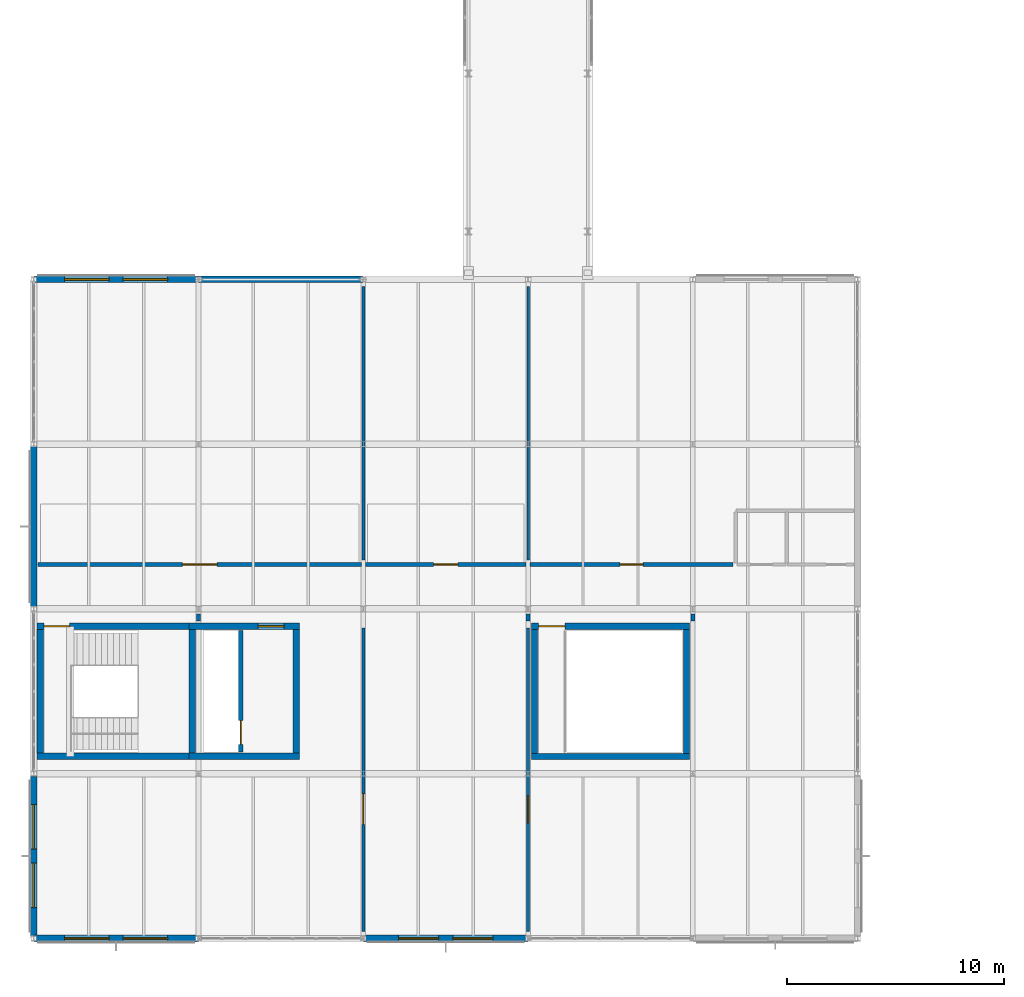
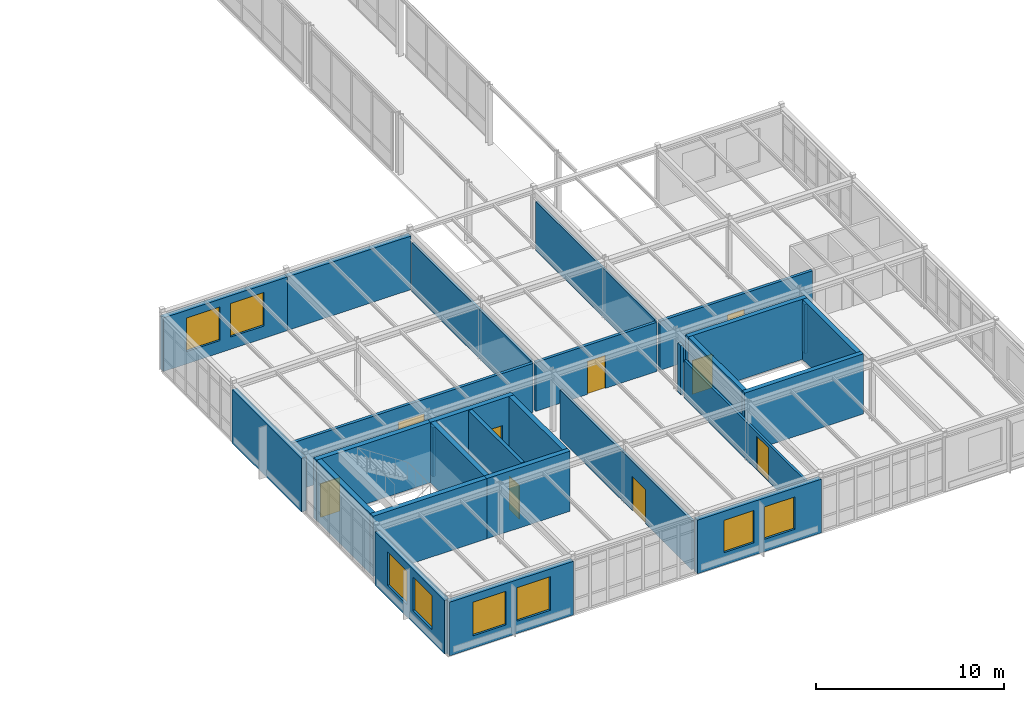
# One storey, part 157 of 189: 28 walls, 9 doors, 8 windows, 17 openings.
"""IFC4 building model written with IfcOpenShell, lengths in metres."""

from ifc_helpers import new_model, si_unit, direction, frame, frame_2d, origin, place, context, subcontext, project, spatial, rectangle, extrude, material, layer, layer_set, type_object, element, fill, save


model = new_model("IFC4")

# Units and contexts
model_context = context("Model", 3, precision=1e-05, world=origin(), true_north=direction((0.0, 1.0)))
body_context = subcontext(model_context, "Body", "Model", "MODEL_VIEW")
ifc_project = project(units=[si_unit("LENGTHUNIT", "METRE"), si_unit("AREAUNIT", "SQUARE_METRE"), si_unit("VOLUMEUNIT", "CUBIC_METRE"), si_unit("PLANEANGLEUNIT", "RADIAN"), si_unit("MASSUNIT", "GRAM", prefix="KILO")], contexts=[model_context])

# Site, building, storey
site_placement = place(None, origin())
site = spatial("IfcSite", under=ifc_project, at=site_placement, CompositionType="ELEMENT")
building_placement = place(site_placement, origin())
building = spatial("IfcBuilding", under=site, at=building_placement, Name="Montecoro Central Library", CompositionType="ELEMENT")
storey_placement = place(building_placement, frame((0.0, 0.0, 9.179931640625)))
storey = spatial("IfcBuildingStorey", under=building, at=storey_placement, Name="L02", CompositionType="ELEMENT", Elevation=9.179931640625)

# Wall, openings, windows
ifc_material_1 = material(Name="Roman travertine stone clad concrete C35/45", Category="masonry")
ifc_layer_1 = layer(ifc_material_1, 0.31005859375)
ifc_layer_set_1 = layer_set([ifc_layer_1], Name="Roman travertine stone clad concrete C35/45")
wall_type_1 = type_object("IfcWallType", Name="EW-TRV-310", PredefinedType="SOLIDWALL", material=ifc_layer_set_1)
wall_1_placement = place(storey_placement, frame((5.00390625, 5.0, 0.0), z_axis=(0.0, 0.0, 1.0), x_axis=(1.0, 0.0, 0.0)))
wall_1 = element("IfcWall", 1, at=wall_1_placement, inside=storey, type_object=wall_type_1, Name="V3-L02-EW-S0", PredefinedType="SOLIDWALL", context=body_context, shape_type="SweptSolid", body=[
    extrude(rectangle(XDim=7.592041015625, YDim=0.31005859375, at=frame_2d((3.7958984375, 0.0))), origin(), (0.0, 0.0, 1.0), 3.47998046875),
])
opening_1_placement = place(wall_1_placement, frame((1.4208984375, 0.0, 0.800048828125)))
opening_1 = element("IfcOpeningElement", 2, at=opening_1_placement, cuts=wall_1, Name="Opening WN-13", PredefinedType="OPENING", context=body_context, shape_type="SweptSolid", body=[
    extrude(rectangle(XDim=2.050048828125, YDim=2.179931640625, at=frame_2d((1.02490234375, 1.08984375))), frame((0.0, 0.1650390625, 0.0), z_axis=(0.0, -1.0, 0.0), x_axis=(1.0, 0.0, 0.0)), (0.0, 0.0, 1.0), 0.330078125),
])
opening_2_placement = place(wall_1_placement, frame((4.12109375, 0.0, 0.800048828125)))
opening_2 = element("IfcOpeningElement", 3, at=opening_2_placement, cuts=wall_1, Name="Opening WN-13", PredefinedType="OPENING", context=body_context, shape_type="SweptSolid", body=[
    extrude(rectangle(XDim=2.050048828125, YDim=2.179931640625, at=frame_2d((1.02490234375, 1.08984375))), frame((0.0, 0.1650390625, 0.0), z_axis=(0.0, -1.0, 0.0), x_axis=(1.0, 0.0, 0.0)), (0.0, 0.0, 1.0), 0.330078125),
])
ifc_material_2 = material(Name="Laminated low-E double glazing", Category="glass")
window_type_1 = type_object("IfcWindowType", Name="WN-CHD-205", PartitioningType="SINGLE_PANEL", PredefinedType="WINDOW", material=ifc_material_2)
window_1_placement = place(opening_1_placement, origin())
window_1 = element("IfcWindow", 4, at=window_1_placement, inside=storey, type_object=window_type_1, Name="V3-L02-WN-S0-1", OverallHeight=2.179931640625, OverallWidth=2.050048828125, PartitioningType="SINGLE_PANEL", PredefinedType="WINDOW", context=body_context, shape_type="SweptSolid", body=[
    extrude(rectangle(XDim=2.050048828125, YDim=2.179931640625, at=frame_2d((1.02490234375, 1.08984375))), frame((0.0, 0.030029296875, 0.0), z_axis=(0.0, -1.0, 0.0), x_axis=(1.0, 0.0, 0.0)), (0.0, 0.0, 1.0), 0.06005859375),
])
fill(opening_1, window_1)
window_2_placement = place(opening_2_placement, origin())
window_2 = element("IfcWindow", 5, at=window_2_placement, inside=storey, type_object=window_type_1, Name="V3-L02-WN-S0-2", OverallHeight=2.179931640625, OverallWidth=2.050048828125, PartitioningType="SINGLE_PANEL", PredefinedType="WINDOW", context=body_context, shape_type="SweptSolid", body=[
    extrude(rectangle(XDim=2.050048828125, YDim=2.179931640625, at=frame_2d((1.02490234375, 1.08984375))), frame((0.0, 0.030029296875, 0.0), z_axis=(0.0, -1.0, 0.0), x_axis=(1.0, 0.0, 0.0)), (0.0, 0.0, 1.0), 0.06005859375),
])
fill(opening_2, window_2)

wall_2_placement = place(storey_placement, frame((20.2041015625, 5.0, 0.0), z_axis=(0.0, 0.0, 1.0), x_axis=(1.0, 0.0, 0.0)))
wall_2 = element("IfcWall", 6, at=wall_2_placement, inside=storey, type_object=wall_type_1, Name="V3-L02-EW-S2", PredefinedType="SOLIDWALL", context=body_context, shape_type="SweptSolid", body=[
    extrude(rectangle(XDim=7.591796875, YDim=0.31005859375, at=frame_2d((3.7958984375, 0.0))), origin(), (0.0, 0.0, 1.0), 3.47998046875),
])
opening_3_placement = place(wall_2_placement, frame((1.62109375, 0.0, 0.800048828125)))
opening_3 = element("IfcOpeningElement", 7, at=opening_3_placement, cuts=wall_2, Name="Opening WN-11", PredefinedType="OPENING", context=body_context, shape_type="SweptSolid", body=[
    extrude(rectangle(XDim=1.85009765625, YDim=2.10009765625, at=frame_2d((0.925048828125, 1.050048828125))), frame((0.0, 0.1650390625, 0.0), z_axis=(0.0, -1.0, 0.0), x_axis=(1.0, 0.0, 0.0)), (0.0, 0.0, 1.0), 0.330078125),
])
opening_4_placement = place(wall_2_placement, frame((4.12109375, 0.0, 0.800048828125)))
opening_4 = element("IfcOpeningElement", 8, at=opening_4_placement, cuts=wall_2, Name="Opening WN-11", PredefinedType="OPENING", context=body_context, shape_type="SweptSolid", body=[
    extrude(rectangle(XDim=1.85009765625, YDim=2.10009765625, at=frame_2d((0.925048828125, 1.050048828125))), frame((0.0, 0.1650390625, 0.0), z_axis=(0.0, -1.0, 0.0), x_axis=(1.0, 0.0, 0.0)), (0.0, 0.0, 1.0), 0.330078125),
])
window_type_2 = type_object("IfcWindowType", Name="WN-CHD-185", PartitioningType="SINGLE_PANEL", PredefinedType="WINDOW", material=ifc_material_2)
window_3_placement = place(opening_3_placement, origin())
window_3 = element("IfcWindow", 9, at=window_3_placement, inside=storey, type_object=window_type_2, Name="V3-L02-WN-S2-1", OverallHeight=2.10009765625, OverallWidth=1.85009765625, PartitioningType="SINGLE_PANEL", PredefinedType="WINDOW", context=body_context, shape_type="SweptSolid", body=[
    extrude(rectangle(XDim=1.85009765625, YDim=2.10009765625, at=frame_2d((0.925048828125, 1.050048828125))), frame((0.0, 0.030029296875, 0.0), z_axis=(0.0, -1.0, 0.0), x_axis=(1.0, 0.0, 0.0)), (0.0, 0.0, 1.0), 0.06005859375),
])
fill(opening_3, window_3)
window_4_placement = place(opening_4_placement, origin())
window_4 = element("IfcWindow", 10, at=window_4_placement, inside=storey, type_object=window_type_2, Name="V3-L02-WN-S2-2", OverallHeight=2.10009765625, OverallWidth=1.85009765625, PartitioningType="SINGLE_PANEL", PredefinedType="WINDOW", context=body_context, shape_type="SweptSolid", body=[
    extrude(rectangle(XDim=1.85009765625, YDim=2.10009765625, at=frame_2d((0.925048828125, 1.050048828125))), frame((0.0, 0.030029296875, 0.0), z_axis=(0.0, -1.0, 0.0), x_axis=(1.0, 0.0, 0.0)), (0.0, 0.0, 1.0), 0.06005859375),
])
fill(opening_4, window_4)

# Wall
wall_3_placement = place(storey_placement, frame((20.196044921875, 35.39990234375, 0.0), z_axis=(0.0, 0.0, 1.0), x_axis=(-1.0, 0.0, 0.0)))
element("IfcWall", 11, at=wall_3_placement, inside=storey, type_object=wall_type_1, Name="V3-L02-EW-N1", PredefinedType="SOLIDWALL", context=body_context, shape_type="SweptSolid", body=[
    extrude(rectangle(XDim=7.592041015625, YDim=0.31005859375, at=frame_2d((3.7958984375, 0.0))), origin(), (0.0, 0.0, 1.0), 3.47998046875),
])

# Wall, openings, windows
wall_4_placement = place(storey_placement, frame((12.595947265625, 35.39990234375, 0.0), z_axis=(0.0, 0.0, 1.0), x_axis=(-1.0, 0.0, 0.0)))
wall_4 = element("IfcWall", 12, at=wall_4_placement, inside=storey, type_object=wall_type_1, Name="V3-L02-EW-N0", PredefinedType="SOLIDWALL", context=body_context, shape_type="SweptSolid", body=[
    extrude(rectangle(XDim=7.592041015625, YDim=0.31005859375, at=frame_2d((3.7958984375, 0.0))), origin(), (0.0, 0.0, 1.0), 3.47998046875),
])
opening_5_placement = place(wall_4_placement, frame((1.4208984375, 0.0, 0.800048828125)))
opening_5 = element("IfcOpeningElement", 13, at=opening_5_placement, cuts=wall_4, Name="Opening WN-13", PredefinedType="OPENING", context=body_context, shape_type="SweptSolid", body=[
    extrude(rectangle(XDim=2.050048828125, YDim=2.179931640625, at=frame_2d((1.02490234375, 1.08984375))), frame((0.0, 0.1650390625, 0.0), z_axis=(0.0, -1.0, 0.0), x_axis=(1.0, 0.0, 0.0)), (0.0, 0.0, 1.0), 0.330078125),
])
opening_6_placement = place(wall_4_placement, frame((4.12109375, 0.0, 0.800048828125)))
opening_6 = element("IfcOpeningElement", 14, at=opening_6_placement, cuts=wall_4, Name="Opening WN-13", PredefinedType="OPENING", context=body_context, shape_type="SweptSolid", body=[
    extrude(rectangle(XDim=2.050048828125, YDim=2.179931640625, at=frame_2d((1.02490234375, 1.08984375))), frame((0.0, 0.1650390625, 0.0), z_axis=(0.0, -1.0, 0.0), x_axis=(1.0, 0.0, 0.0)), (0.0, 0.0, 1.0), 0.330078125),
])
window_5_placement = place(opening_5_placement, origin())
window_5 = element("IfcWindow", 15, at=window_5_placement, inside=storey, type_object=window_type_1, Name="V3-L02-WN-N0-1", OverallHeight=2.179931640625, OverallWidth=2.050048828125, PartitioningType="SINGLE_PANEL", PredefinedType="WINDOW", context=body_context, shape_type="SweptSolid", body=[
    extrude(rectangle(XDim=2.050048828125, YDim=2.179931640625, at=frame_2d((1.02490234375, 1.08984375))), frame((0.0, 0.030029296875, 0.0), z_axis=(0.0, -1.0, 0.0), x_axis=(1.0, 0.0, 0.0)), (0.0, 0.0, 1.0), 0.06005859375),
])
fill(opening_5, window_5)
window_6_placement = place(opening_6_placement, origin())
window_6 = element("IfcWindow", 16, at=window_6_placement, inside=storey, type_object=window_type_1, Name="V3-L02-WN-N0-2", OverallHeight=2.179931640625, OverallWidth=2.050048828125, PartitioningType="SINGLE_PANEL", PredefinedType="WINDOW", context=body_context, shape_type="SweptSolid", body=[
    extrude(rectangle(XDim=2.050048828125, YDim=2.179931640625, at=frame_2d((1.02490234375, 1.08984375))), frame((0.0, 0.030029296875, 0.0), z_axis=(0.0, -1.0, 0.0), x_axis=(1.0, 0.0, 0.0)), (0.0, 0.0, 1.0), 0.06005859375),
])
fill(opening_6, window_6)

# Wall
wall_5_placement = place(storey_placement, frame((5.0, 27.681884765625, 0.0), z_axis=(0.0, 0.0, 1.0), x_axis=(0.0, -1.0, 0.0)))
element("IfcWall", 17, at=wall_5_placement, inside=storey, type_object=wall_type_1, Name="V3-L02-EW-W2", PredefinedType="SOLIDWALL", context=body_context, shape_type="SweptSolid", body=[
    extrude(rectangle(XDim=7.36376953125, YDim=0.31005859375, at=frame_2d((3.681884765625, 0.0))), origin(), (0.0, 0.0, 1.0), 3.47998046875),
])

# Wall, openings, windows
wall_6_placement = place(storey_placement, frame((5.0, 12.48193359375, 0.0), z_axis=(0.0, 0.0, 1.0), x_axis=(0.0, -1.0, 0.0)))
wall_6 = element("IfcWall", 18, at=wall_6_placement, inside=storey, type_object=wall_type_1, Name="V3-L02-EW-W0", PredefinedType="SOLIDWALL", context=body_context, shape_type="SweptSolid", body=[
    extrude(rectangle(XDim=7.364013671875, YDim=0.31005859375, at=frame_2d((3.68212890625, 0.0))), origin(), (0.0, 0.0, 1.0), 3.47998046875),
])
opening_7_placement = place(wall_6_placement, frame((1.306884765625, 0.0, 0.800048828125)))
opening_7 = element("IfcOpeningElement", 19, at=opening_7_placement, cuts=wall_6, Name="Opening WN-13", PredefinedType="OPENING", context=body_context, shape_type="SweptSolid", body=[
    extrude(rectangle(XDim=2.050048828125, YDim=2.179931640625, at=frame_2d((1.02490234375, 1.08984375))), frame((0.0, 0.1650390625, 0.0), z_axis=(0.0, -1.0, 0.0), x_axis=(1.0, 0.0, 0.0)), (0.0, 0.0, 1.0), 0.330078125),
])
opening_8_placement = place(wall_6_placement, frame((4.007080078125, 0.0, 0.800048828125)))
opening_8 = element("IfcOpeningElement", 20, at=opening_8_placement, cuts=wall_6, Name="Opening WN-13", PredefinedType="OPENING", context=body_context, shape_type="SweptSolid", body=[
    extrude(rectangle(XDim=2.050048828125, YDim=2.179931640625, at=frame_2d((1.02490234375, 1.08984375))), frame((0.0, 0.1650390625, 0.0), z_axis=(0.0, -1.0, 0.0), x_axis=(1.0, 0.0, 0.0)), (0.0, 0.0, 1.0), 0.330078125),
])
window_7_placement = place(opening_7_placement, origin())
window_7 = element("IfcWindow", 21, at=window_7_placement, inside=storey, type_object=window_type_1, Name="V3-L02-WN-W0-1", OverallHeight=2.179931640625, OverallWidth=2.050048828125, PartitioningType="SINGLE_PANEL", PredefinedType="WINDOW", context=body_context, shape_type="SweptSolid", body=[
    extrude(rectangle(XDim=2.050048828125, YDim=2.179931640625, at=frame_2d((1.02490234375, 1.08984375))), frame((0.0, 0.030029296875, 0.0), z_axis=(0.0, -1.0, 0.0), x_axis=(1.0, 0.0, 0.0)), (0.0, 0.0, 1.0), 0.06005859375),
])
fill(opening_7, window_7)
window_8_placement = place(opening_8_placement, origin())
window_8 = element("IfcWindow", 22, at=window_8_placement, inside=storey, type_object=window_type_1, Name="V3-L02-WN-W0-2", OverallHeight=2.179931640625, OverallWidth=2.050048828125, PartitioningType="SINGLE_PANEL", PredefinedType="WINDOW", context=body_context, shape_type="SweptSolid", body=[
    extrude(rectangle(XDim=2.050048828125, YDim=2.179931640625, at=frame_2d((1.02490234375, 1.08984375))), frame((0.0, 0.030029296875, 0.0), z_axis=(0.0, -1.0, 0.0), x_axis=(1.0, 0.0, 0.0)), (0.0, 0.0, 1.0), 0.06005859375),
])
fill(opening_8, window_8)

# Wall, opening, door
ifc_material_3 = material(Name="Gypsum fire-rated partition")
ifc_layer_2 = layer(ifc_material_3, 0.179931640625)
ifc_layer_set_2 = layer_set([ifc_layer_2], Name="Gypsum fire-rated partition")
wall_type_2 = type_object("IfcWallType", Name="IW-COR-180", PredefinedType="PARTITIONING", material=ifc_layer_set_2)
wall_7_placement = place(storey_placement, frame((5.199951171875, 22.25, 0.0), z_axis=(0.0, 0.0, 1.0), x_axis=(1.0, 0.0, 0.0)))
wall_7 = element("IfcWall", 23, at=wall_7_placement, inside=storey, type_object=wall_type_2, Name="CORW-V3-L02-01", PredefinedType="PARTITIONING", context=body_context, shape_type="SweptSolid", body=[
    extrude(rectangle(XDim=14.91015625, YDim=0.179931640625, at=frame_2d((7.455078125, 0.0))), origin(), (0.0, 0.0, 1.0), 3.18017578125),
])
opening_9_placement = place(wall_7_placement, frame((6.655029296875, 0.0, 0.0)))
opening_9 = element("IfcOpeningElement", 24, at=opening_9_placement, cuts=wall_7, Name="Opening ID-06", PredefinedType="OPENING", context=body_context, shape_type="SweptSolid", body=[
    extrude(rectangle(XDim=1.60009765625, YDim=2.25, at=frame_2d((0.800048828125, 1.125))), frame((0.0, 0.099853515625, 0.0), z_axis=(0.0, -1.0, 0.0), x_axis=(1.0, 0.0, 0.0)), (0.0, 0.0, 1.0), 0.199951171875),
])
ifc_material_4 = material(Name="Solid oak and fire-rated steel door", Category="steel")
door_type_1 = type_object("IfcDoorType", Name="ID-COR-160", OperationType="NOTDEFINED", PredefinedType="DOOR", material=ifc_material_4)
door_1_placement = place(opening_9_placement, origin())
door_1 = element("IfcDoor", 25, at=door_1_placement, inside=storey, type_object=door_type_1, Name="DR-SP-V3-L02-R1P1", OperationType="DOUBLE_DOOR_SINGLE_SWING", OverallHeight=2.25, OverallWidth=1.60009765625, PredefinedType="DOOR", context=body_context, shape_type="SweptSolid", body=[
    extrude(rectangle(XDim=1.60009765625, YDim=2.25, at=frame_2d((0.800048828125, 1.125))), frame((0.0, 0.02490234375, 0.0), z_axis=(0.0, -1.0, 0.0), x_axis=(1.0, 0.0, 0.0)), (0.0, 0.0, 1.0), 0.050048828125),
])
fill(opening_9, door_1)

wall_8_placement = place(storey_placement, frame((20.2900390625, 22.25, 0.0), z_axis=(0.0, 0.0, 1.0), x_axis=(1.0, 0.0, 0.0)))
wall_8 = element("IfcWall", 26, at=wall_8_placement, inside=storey, type_object=wall_type_2, Name="CORW-V3-L02-02", PredefinedType="PARTITIONING", context=body_context, shape_type="SweptSolid", body=[
    extrude(rectangle(XDim=7.419921875, YDim=0.179931640625, at=frame_2d((3.7099609375, 0.0))), origin(), (0.0, 0.0, 1.0), 3.18017578125),
])
opening_10_placement = place(wall_8_placement, frame((3.14990234375, 0.0, 0.0)))
opening_10 = element("IfcOpeningElement", 27, at=opening_10_placement, cuts=wall_8, Name="Opening ID-12", PredefinedType="OPENING", context=body_context, shape_type="SweptSolid", body=[
    extrude(rectangle(XDim=1.1201171875, YDim=2.14990234375, at=frame_2d((0.56005859375, 1.074951171875))), frame((0.0, 0.099853515625, 0.0), z_axis=(0.0, -1.0, 0.0), x_axis=(1.0, 0.0, 0.0)), (0.0, 0.0, 1.0), 0.199951171875),
])
door_type_2 = type_object("IfcDoorType", Name="ID-RM-112", OperationType="NOTDEFINED", PredefinedType="DOOR", material=ifc_material_4)
door_2_placement = place(opening_10_placement, origin())
door_2 = element("IfcDoor", 28, at=door_2_placement, inside=storey, type_object=door_type_2, Name="DR-SP-V3-L02-R2P2", OperationType="SINGLE_SWING_RIGHT", OverallHeight=2.14990234375, OverallWidth=1.1201171875, PredefinedType="DOOR", context=body_context, shape_type="SweptSolid", body=[
    extrude(rectangle(XDim=1.1201171875, YDim=2.14990234375, at=frame_2d((0.56005859375, 1.074951171875))), frame((0.0, 0.02490234375, 0.0), z_axis=(0.0, -1.0, 0.0), x_axis=(1.0, 0.0, 0.0)), (0.0, 0.0, 1.0), 0.050048828125),
])
fill(opening_10, door_2)

wall_9_placement = place(storey_placement, frame((27.889892578125, 22.25, 0.0), z_axis=(0.0, 0.0, 1.0), x_axis=(1.0, 0.0, 0.0)))
wall_9 = element("IfcWall", 29, at=wall_9_placement, inside=storey, type_object=wall_type_2, Name="CORW-V3-L02-03", PredefinedType="PARTITIONING", context=body_context, shape_type="SweptSolid", body=[
    extrude(rectangle(XDim=9.3701171875, YDim=0.179931640625, at=frame_2d((4.68505859375, 0.0))), origin(), (0.0, 0.0, 1.0), 3.18017578125),
])
opening_11_placement = place(wall_9_placement, frame((4.159912109375, 0.0, 0.0)))
opening_11 = element("IfcOpeningElement", 30, at=opening_11_placement, cuts=wall_9, Name="Opening ID-13", PredefinedType="OPENING", context=body_context, shape_type="SweptSolid", body=[
    extrude(rectangle(XDim=1.050048828125, YDim=2.14990234375, at=frame_2d((0.52490234375, 1.074951171875))), frame((0.0, 0.099853515625, 0.0), z_axis=(0.0, -1.0, 0.0), x_axis=(1.0, 0.0, 0.0)), (0.0, 0.0, 1.0), 0.199951171875),
])
door_type_3 = type_object("IfcDoorType", Name="ID-RM-105", OperationType="NOTDEFINED", PredefinedType="DOOR", material=ifc_material_4)
door_3_placement = place(opening_11_placement, origin())
door_3 = element("IfcDoor", 31, at=door_3_placement, inside=storey, type_object=door_type_3, Name="DR-SP-V3-L02-R3P1", OperationType="SINGLE_SWING_LEFT", OverallHeight=2.14990234375, OverallWidth=1.050048828125, PredefinedType="DOOR", context=body_context, shape_type="SweptSolid", body=[
    extrude(rectangle(XDim=1.050048828125, YDim=2.14990234375, at=frame_2d((0.52490234375, 1.074951171875))), frame((0.0, 0.02490234375, 0.0), z_axis=(0.0, -1.0, 0.0), x_axis=(1.0, 0.0, 0.0)), (0.0, 0.0, 1.0), 0.050048828125),
])
fill(opening_11, door_3)

# Walls
for number, where, z_axis, x_axis, name in (
    (32, (12.60009765625, 19.639892578125, 0.0), (0.0, 0.0, 1.0), (0.0, 1.0, 0.0), "PIL-V3-L02-1"),
    (33, (27.800048828125, 19.639892578125, 0.0), (0.0, 0.0, 1.0), (0.0, 1.0, 0.0), "PIL-V3-L02-2"),
    (34, (35.39990234375, 19.639892578125, 0.0), (0.0, 0.0, 1.0), (0.0, 1.0, 0.0), "PIL-V3-L02-3"),
):
    element("IfcWall", number, at=place(storey_placement, frame(where, z_axis=z_axis, x_axis=x_axis)), inside=storey, type_object=wall_type_2, Name=name, PredefinedType="PARTITIONING", context=body_context, shape_type="SweptSolid", body=[
        extrude(rectangle(XDim=0.320068359375, YDim=0.179931640625, at=frame_2d((0.16015625, 0.0))), origin(), (0.0, 0.0, 1.0), 3.18017578125),
    ])

# Wall, opening, door
ifc_material_5 = material(Name="Concrete C32/40", Category="concrete")
ifc_layer_3 = layer(ifc_material_5, 0.219970703125)
ifc_layer_set_3 = layer_set([ifc_layer_3], Name="Concrete C32/40")
wall_type_3 = type_object("IfcWallType", Name="IW-FFL-220", PredefinedType="SOLIDWALL", material=ifc_layer_set_3)
wall_10_placement = place(storey_placement, frame((14.550048828125, 13.60009765625, 0.0), z_axis=(0.0, 0.0, 1.0), x_axis=(0.0, 1.0, 0.0)))
wall_10 = element("IfcWall", 35, at=wall_10_placement, inside=storey, type_object=wall_type_3, Name="C4-L02-WLSH", PredefinedType="SOLIDWALL", context=body_context, shape_type="SweptSolid", body=[
    extrude(rectangle(XDim=5.599853515625, YDim=0.219970703125, at=frame_2d((2.7998046875, 0.0))), origin(), (0.0, 0.0, 1.0), 3.902099609375),
])
opening_12_placement = place(wall_10_placement, frame((0.35009765625, 0.0, 0.0)))
opening_12 = element("IfcOpeningElement", 36, at=opening_12_placement, cuts=wall_10, Name="Opening LD-01", PredefinedType="OPENING", context=body_context, shape_type="SweptSolid", body=[
    extrude(rectangle(XDim=1.10009765625, YDim=2.14990234375, at=frame_2d((0.550048828125, 1.074951171875))), frame((0.0, 0.119873046875, 0.0), z_axis=(0.0, -1.0, 0.0), x_axis=(1.0, 0.0, 0.0)), (0.0, 0.0, 1.0), 0.239990234375),
])
door_type_4 = type_object("IfcDoorType", Name="LD-LIFT-110", OperationType="NOTDEFINED", PredefinedType="DOOR", material=ifc_material_4)
door_4_placement = place(opening_12_placement, origin())
door_4 = element("IfcDoor", 37, at=door_4_placement, inside=storey, type_object=door_type_4, Name="C4-L02-LD-PL-04", OperationType="SLIDING_TO_LEFT", OverallHeight=2.14990234375, OverallWidth=1.10009765625, PredefinedType="DOOR", context=body_context, shape_type="SweptSolid", body=[
    extrude(rectangle(XDim=1.10009765625, YDim=2.14990234375, at=frame_2d((0.550048828125, 1.074951171875))), frame((0.0, 0.02490234375, 0.0), z_axis=(0.0, -1.0, 0.0), x_axis=(1.0, 0.0, 0.0)), (0.0, 0.0, 1.0), 0.050048828125),
])
fill(opening_12, door_4)

# Walls
ifc_material_6 = material(Name="Gypsum metal-stud partition")
ifc_layer_4 = layer(ifc_material_6, 0.1201171875)
ifc_layer_set_4 = layer_set([ifc_layer_4], Name="Gypsum metal-stud partition")
wall_type_4 = type_object("IfcWallType", Name="IW-PRT-120", PredefinedType="PARTITIONING", material=ifc_layer_set_4)
wall_11_placement = place(storey_placement, frame((27.800048828125, 22.4599609375, 0.0), z_axis=(0.0, 0.0, 1.0), x_axis=(0.0, 1.0, 0.0)))
element("IfcWall", 38, at=wall_11_placement, inside=storey, type_object=wall_type_4, Name="DIVW-V3-L02-02-1", PredefinedType="PARTITIONING", context=body_context, shape_type="SweptSolid", body=[
    extrude(rectangle(XDim=12.6201171875, YDim=0.1201171875, at=frame_2d((6.31005859375, 0.0))), origin(), (0.0, 0.0, 1.0), 3.18017578125),
])
ifc_layer_5 = layer(ifc_material_6, 0.139892578125)
ifc_layer_set_5 = layer_set([ifc_layer_5], Name="Gypsum metal-stud partition")
wall_type_5 = type_object("IfcWallType", Name="IW-PRT-140", PredefinedType="PARTITIONING", material=ifc_layer_set_5)
wall_12_placement = place(storey_placement, frame((20.199951171875, 22.4599609375, 0.0), z_axis=(0.0, 0.0, 1.0), x_axis=(0.0, 1.0, 0.0)))
element("IfcWall", 39, at=wall_12_placement, inside=storey, type_object=wall_type_5, Name="DIVW-V3-L02-01-1", PredefinedType="PARTITIONING", context=body_context, shape_type="SweptSolid", body=[
    extrude(rectangle(XDim=12.6201171875, YDim=0.139892578125, at=frame_2d((6.31005859375, 0.0))), origin(), (0.0, 0.0, 1.0), 3.18017578125),
])

# Wall, opening, door
wall_13_placement = place(storey_placement, frame((20.199951171875, 5.320068359375, 0.0), z_axis=(0.0, 0.0, 1.0), x_axis=(0.0, 1.0, 0.0)))
wall_13 = element("IfcWall", 40, at=wall_13_placement, inside=storey, type_object=wall_type_5, Name="DIVWS-V3-L02-01-1", PredefinedType="PARTITIONING", context=body_context, shape_type="SweptSolid", body=[
    extrude(rectangle(XDim=13.989990234375, YDim=0.139892578125, at=frame_2d((6.9951171875, 0.0))), origin(), (0.0, 0.0, 1.0), 3.18017578125),
])
opening_13_placement = place(wall_13_placement, frame((4.945068359375, 0.0, 0.0)))
opening_13 = element("IfcOpeningElement", 41, at=opening_13_placement, cuts=wall_13, Name="Opening ID-08", PredefinedType="OPENING", context=body_context, shape_type="SweptSolid", body=[
    extrude(rectangle(XDim=1.39990234375, YDim=2.219970703125, at=frame_2d((0.699951171875, 1.10986328125))), frame((0.0, 0.079833984375, 0.0), z_axis=(0.0, -1.0, 0.0), x_axis=(1.0, 0.0, 0.0)), (0.0, 0.0, 1.0), 0.159912109375),
])
door_type_5 = type_object("IfcDoorType", Name="ID-RDG-140", OperationType="NOTDEFINED", PredefinedType="DOOR", material=ifc_material_4)
door_5_placement = place(opening_13_placement, origin())
door_5 = element("IfcDoor", 42, at=door_5_placement, inside=storey, type_object=door_type_5, Name="DR-SP-V3-L02-R1P2", OperationType="SINGLE_SWING_RIGHT", OverallHeight=2.219970703125, OverallWidth=1.39990234375, PredefinedType="DOOR", context=body_context, shape_type="SweptSolid", body=[
    extrude(rectangle(XDim=1.39990234375, YDim=2.219970703125, at=frame_2d((0.699951171875, 1.10986328125))), frame((0.0, 0.02490234375, 0.0), z_axis=(0.0, -1.0, 0.0), x_axis=(1.0, 0.0, 0.0)), (0.0, 0.0, 1.0), 0.050048828125),
])
fill(opening_13, door_5)

wall_14_placement = place(storey_placement, frame((27.800048828125, 5.320068359375, 0.0), z_axis=(0.0, 0.0, 1.0), x_axis=(0.0, 1.0, 0.0)))
wall_14 = element("IfcWall", 43, at=wall_14_placement, inside=storey, type_object=wall_type_5, Name="DIVWS-V3-L02-02-1", PredefinedType="PARTITIONING", context=body_context, shape_type="SweptSolid", body=[
    extrude(rectangle(XDim=13.989990234375, YDim=0.139892578125, at=frame_2d((6.9951171875, 0.0))), origin(), (0.0, 0.0, 1.0), 2.445068359375),
])
opening_14_placement = place(wall_14_placement, frame((5.014892578125, 0.0, 0.0)))
opening_14 = element("IfcOpeningElement", 44, at=opening_14_placement, cuts=wall_14, Name="Opening ID-09", PredefinedType="OPENING", context=body_context, shape_type="SweptSolid", body=[
    extrude(rectangle(XDim=1.260009765625, YDim=2.199951171875, at=frame_2d((0.6298828125, 1.10009765625))), frame((0.0, 0.079833984375, 0.0), z_axis=(0.0, -1.0, 0.0), x_axis=(1.0, 0.0, 0.0)), (0.0, 0.0, 1.0), 0.159912109375),
])
door_type_6 = type_object("IfcDoorType", Name="ID-RDG-126", OperationType="NOTDEFINED", PredefinedType="DOOR", material=ifc_material_4)
door_6_placement = place(opening_14_placement, origin())
door_6 = element("IfcDoor", 45, at=door_6_placement, inside=storey, type_object=door_type_6, Name="DR-SP-V3-L02-R2P1", OperationType="SINGLE_SWING_LEFT", OverallHeight=2.199951171875, OverallWidth=1.260009765625, PredefinedType="DOOR", context=body_context, shape_type="SweptSolid", body=[
    extrude(rectangle(XDim=1.260009765625, YDim=2.199951171875, at=frame_2d((0.6298828125, 1.10009765625))), frame((0.0, 0.02490234375, 0.0), z_axis=(0.0, -1.0, 0.0), x_axis=(1.0, 0.0, 0.0)), (0.0, 0.0, 1.0), 0.050048828125),
])
fill(opening_14, door_6)

# Wall
ifc_material_7 = material(Name="Concrete C35/45", Category="concrete")
ifc_layer_6 = layer(ifc_material_7, 0.280029296875)
ifc_layer_set_6 = layer_set([ifc_layer_6], Name="Concrete C35/45")
wall_type_6 = type_object("IfcWallType", Name="IW-SHR-280", PredefinedType="SHEAR", material=ifc_layer_set_6)
wall_15_placement = place(storey_placement, frame((27.9599609375, 13.39990234375, 0.0), z_axis=(0.0, 0.0, 1.0), x_axis=(1.0, 0.0, 0.0)))
element("IfcWall", 46, at=wall_15_placement, inside=storey, type_object=wall_type_6, Name="C11-L02-WS", PredefinedType="SHEAR", context=body_context, shape_type="SweptSolid", body=[
    extrude(rectangle(XDim=7.280029296875, YDim=0.280029296875, at=frame_2d((3.64013671875, 0.0))), origin(), (0.0, 0.0, 1.0), 3.902099609375),
])

# Wall, opening, door
wall_16_placement = place(storey_placement, frame((27.9599609375, 19.39990234375, 0.0), z_axis=(0.0, 0.0, 1.0), x_axis=(1.0, 0.0, 0.0)))
wall_16 = element("IfcWall", 47, at=wall_16_placement, inside=storey, type_object=wall_type_6, Name="C11-L02-WN", PredefinedType="SHEAR", context=body_context, shape_type="SweptSolid", body=[
    extrude(rectangle(XDim=7.280029296875, YDim=0.280029296875, at=frame_2d((3.64013671875, 0.0))), origin(), (0.0, 0.0, 1.0), 3.902099609375),
])
opening_15_placement = place(wall_16_placement, frame((0.320068359375, 0.0, 0.0)))
opening_15 = element("IfcOpeningElement", 48, at=opening_15_placement, cuts=wall_16, Name="Opening ID-01", PredefinedType="OPENING", context=body_context, shape_type="SweptSolid", body=[
    extrude(rectangle(XDim=1.219970703125, YDim=2.179931640625, at=frame_2d((0.60986328125, 1.08984375))), frame((0.0, 0.14990234375, 0.0), z_axis=(0.0, -1.0, 0.0), x_axis=(1.0, 0.0, 0.0)), (0.0, 0.0, 1.0), 0.300048828125),
])
door_type_7 = type_object("IfcDoorType", Name="ID-STR-140", OperationType="NOTDEFINED", PredefinedType="DOOR", material=ifc_material_4)
door_7_placement = place(opening_15_placement, origin())
door_7 = element("IfcDoor", 49, at=door_7_placement, inside=storey, type_object=door_type_7, Name="C11-L02-DSTR", OperationType="SINGLE_SWING_RIGHT", OverallHeight=2.179931640625, OverallWidth=1.219970703125, PredefinedType="DOOR", context=body_context, shape_type="SweptSolid", body=[
    extrude(rectangle(XDim=1.219970703125, YDim=2.179931640625, at=frame_2d((0.60986328125, 1.08984375))), frame((0.0, 0.02490234375, 0.0), z_axis=(0.0, -1.0, 0.0), x_axis=(1.0, 0.0, 0.0)), (0.0, 0.0, 1.0), 0.050048828125),
])
fill(opening_15, door_7)

# Walls
for number, where, z_axis, x_axis, name in (
    (50, (28.10009765625, 13.5400390625, 0.0), (0.0, 0.0, 1.0), (0.0, 1.0, 0.0), "C11-L02-WW"),
    (51, (35.10009765625, 13.5400390625, 0.0), (0.0, 0.0, 1.0), (0.0, 1.0, 0.0), "C11-L02-WE"),
):
    element("IfcWall", number, at=place(storey_placement, frame(where, z_axis=z_axis, x_axis=x_axis)), inside=storey, type_object=wall_type_6, Name=name, PredefinedType="SHEAR", context=body_context, shape_type="SweptSolid", body=[
        extrude(rectangle(XDim=5.719970703125, YDim=0.280029296875, at=frame_2d((2.85986328125, 0.0))), origin(), (0.0, 0.0, 1.0), 3.902099609375),
    ])
ifc_layer_7 = layer(ifc_material_7, 0.300048828125)
ifc_layer_set_7 = layer_set([ifc_layer_7], Name="Concrete C35/45")
wall_type_7 = type_object("IfcWallType", Name="IW-SHR-300", PredefinedType="SHEAR", material=ifc_layer_set_7)
wall_17_placement = place(storey_placement, frame((12.14990234375, 13.39990234375, 0.0), z_axis=(0.0, 0.0, 1.0), x_axis=(1.0, 0.0, 0.0)))
element("IfcWall", 52, at=wall_17_placement, inside=storey, type_object=wall_type_7, Name="C4-L02-LWS", PredefinedType="SHEAR", context=body_context, shape_type="SweptSolid", body=[
    extrude(rectangle(XDim=5.10009765625, YDim=0.300048828125, at=frame_2d((2.550048828125, 0.0))), origin(), (0.0, 0.0, 1.0), 3.902099609375),
])

# Wall, opening, door
wall_18_placement = place(storey_placement, frame((17.25, 19.39990234375, 0.0), z_axis=(0.0, 0.0, 1.0), x_axis=(-1.0, 0.0, 0.0)))
wall_18 = element("IfcWall", 53, at=wall_18_placement, inside=storey, type_object=wall_type_7, Name="C4-L02-LWN", PredefinedType="SHEAR", context=body_context, shape_type="SweptSolid", body=[
    extrude(rectangle(XDim=5.10009765625, YDim=0.300048828125, at=frame_2d((2.550048828125, 0.0))), origin(), (0.0, 0.0, 1.0), 3.902099609375),
])
opening_16_placement = place(wall_18_placement, frame((0.699951171875, 0.0, 0.0)))
opening_16 = element("IfcOpeningElement", 54, at=opening_16_placement, cuts=wall_18, Name="Opening ID-03", PredefinedType="OPENING", context=body_context, shape_type="SweptSolid", body=[
    extrude(rectangle(XDim=1.199951171875, YDim=2.159912109375, at=frame_2d((0.60009765625, 1.080078125))), frame((0.0, 0.159912109375, 0.0), z_axis=(0.0, -1.0, 0.0), x_axis=(1.0, 0.0, 0.0)), (0.0, 0.0, 1.0), 0.320068359375),
])
door_type_8 = type_object("IfcDoorType", Name="ID-FFL-120", OperationType="NOTDEFINED", PredefinedType="DOOR", material=ifc_material_4)
door_8_placement = place(opening_16_placement, origin())
door_8 = element("IfcDoor", 55, at=door_8_placement, inside=storey, type_object=door_type_8, Name="C4-L02-DLOB", OperationType="SINGLE_SWING_LEFT", OverallHeight=2.159912109375, OverallWidth=1.199951171875, PredefinedType="DOOR", context=body_context, shape_type="SweptSolid", body=[
    extrude(rectangle(XDim=1.199951171875, YDim=2.159912109375, at=frame_2d((0.60009765625, 1.080078125))), frame((0.0, 0.02490234375, 0.0), z_axis=(0.0, -1.0, 0.0), x_axis=(1.0, 0.0, 0.0)), (0.0, 0.0, 1.0), 0.050048828125),
])
fill(opening_16, door_8)

# Walls
wall_19_placement = place(storey_placement, frame((17.10009765625, 13.550048828125, 0.0), z_axis=(0.0, 0.0, 1.0), x_axis=(0.0, 1.0, 0.0)))
element("IfcWall", 56, at=wall_19_placement, inside=storey, type_object=wall_type_7, Name="C4-L02-LWE", PredefinedType="SHEAR", context=body_context, shape_type="SweptSolid", body=[
    extrude(rectangle(XDim=5.699951171875, YDim=0.300048828125, at=frame_2d((2.85009765625, 0.0))), origin(), (0.0, 0.0, 1.0), 3.902099609375),
])
wall_20_placement = place(storey_placement, frame((5.14990234375, 13.39990234375, 0.0), z_axis=(0.0, 0.0, 1.0), x_axis=(1.0, 0.0, 0.0)))
element("IfcWall", 57, at=wall_20_placement, inside=storey, type_object=wall_type_7, Name="C4-L02-WS", PredefinedType="SHEAR", context=body_context, shape_type="SweptSolid", body=[
    extrude(rectangle(XDim=7.300048828125, YDim=0.300048828125, at=frame_2d((3.64990234375, 0.0))), origin(), (0.0, 0.0, 1.0), 3.902099609375),
])

# Wall, opening, door
wall_21_placement = place(storey_placement, frame((5.14990234375, 19.39990234375, 0.0), z_axis=(0.0, 0.0, 1.0), x_axis=(1.0, 0.0, 0.0)))
wall_21 = element("IfcWall", 58, at=wall_21_placement, inside=storey, type_object=wall_type_7, Name="C4-L02-WN", PredefinedType="SHEAR", context=body_context, shape_type="SweptSolid", body=[
    extrude(rectangle(XDim=7.300048828125, YDim=0.300048828125, at=frame_2d((3.64990234375, 0.0))), origin(), (0.0, 0.0, 1.0), 3.902099609375),
])
opening_17_placement = place(wall_21_placement, frame((0.330078125, 0.0, 0.0)))
opening_17 = element("IfcOpeningElement", 59, at=opening_17_placement, cuts=wall_21, Name="Opening ID-02", PredefinedType="OPENING", context=body_context, shape_type="SweptSolid", body=[
    extrude(rectangle(XDim=1.179931640625, YDim=2.179931640625, at=frame_2d((0.58984375, 1.08984375))), frame((0.0, 0.159912109375, 0.0), z_axis=(0.0, -1.0, 0.0), x_axis=(1.0, 0.0, 0.0)), (0.0, 0.0, 1.0), 0.320068359375),
])
door_type_9 = type_object("IfcDoorType", Name="ID-STR-135", OperationType="NOTDEFINED", PredefinedType="DOOR", material=ifc_material_4)
door_9_placement = place(opening_17_placement, origin())
door_9 = element("IfcDoor", 60, at=door_9_placement, inside=storey, type_object=door_type_9, Name="C4-L02-DSTR", OperationType="SINGLE_SWING_RIGHT", OverallHeight=2.179931640625, OverallWidth=1.179931640625, PredefinedType="DOOR", context=body_context, shape_type="SweptSolid", body=[
    extrude(rectangle(XDim=1.179931640625, YDim=2.179931640625, at=frame_2d((0.58984375, 1.08984375))), frame((0.0, 0.02490234375, 0.0), z_axis=(0.0, -1.0, 0.0), x_axis=(1.0, 0.0, 0.0)), (0.0, 0.0, 1.0), 0.050048828125),
])
fill(opening_17, door_9)

# Walls
for number, where, z_axis, x_axis, name in (
    (61, (5.300048828125, 13.550048828125, 0.0), (0.0, 0.0, 1.0), (0.0, 1.0, 0.0), "C4-L02-WW"),
    (62, (12.300048828125, 13.550048828125, 0.0), (0.0, 0.0, 1.0), (0.0, 1.0, 0.0), "C4-L02-WE"),
):
    element("IfcWall", number, at=place(storey_placement, frame(where, z_axis=z_axis, x_axis=x_axis)), inside=storey, type_object=wall_type_7, Name=name, PredefinedType="SHEAR", context=body_context, shape_type="SweptSolid", body=[
        extrude(rectangle(XDim=5.699951171875, YDim=0.300048828125, at=frame_2d((2.85009765625, 0.0))), origin(), (0.0, 0.0, 1.0), 3.902099609375),
    ])

save(model, "model.ifc")
